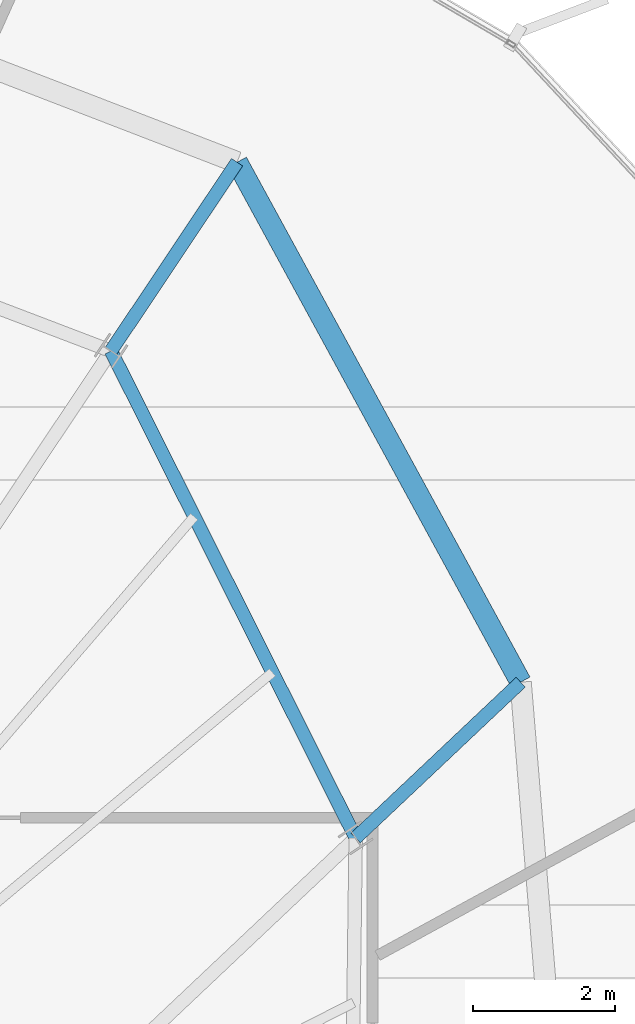
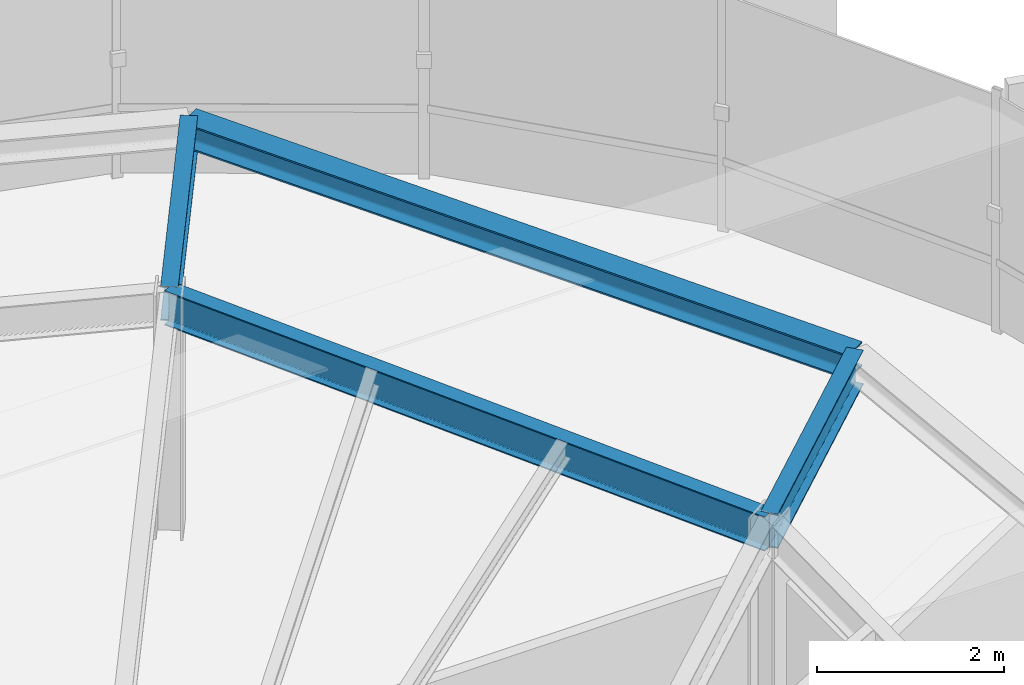
# One storey, part 25 of 36: 4 beams.
"""IFC4 building model written with IfcOpenShell, lengths in metres."""

from ifc_helpers import new_model, si_unit, direction, frame, origin, origin_2d, place, context, subcontext, project, spatial, i_section, extrude, source, transform, mapped, material, material_profile, profile_set, type_object, element, save


model = new_model("IFC4")

# Units and contexts
model_context = context("Model", 3, precision=1e-05, world=origin(), true_north=direction((0.0, 1.0)))
body_context = subcontext(model_context, "Body", "Model", "MODEL_VIEW")
ifc_project = project(units=[si_unit("LENGTHUNIT", "METRE"), si_unit("AREAUNIT", "SQUARE_METRE"), si_unit("VOLUMEUNIT", "CUBIC_METRE"), si_unit("PLANEANGLEUNIT", "RADIAN"), si_unit("MASSUNIT", "GRAM", prefix="KILO"), si_unit("THERMODYNAMICTEMPERATUREUNIT", "KELVIN")], contexts=[model_context])

# Site, building, storey
site_placement = place(None, origin())
site = spatial("IfcSite", under=ifc_project, at=site_placement, CompositionType="ELEMENT")
building_placement = place(site_placement, origin())
building = spatial("IfcBuilding", under=site, at=building_placement, Name="Kethvar Cultural Tower", CompositionType="ELEMENT")
storey_placement = place(building_placement, frame((0.0, 0.0, 242.199951171875)))
storey = spatial("IfcBuildingStorey", under=building, at=storey_placement, Name="L63", CompositionType="ELEMENT", Elevation=242.199951171875)

# Beams
ifc_material = material(Name="Steel S355J2", Category="steel")
ifc_material_profile_1 = material_profile(ifc_material, i_section(OverallWidth=0.18994140625, OverallDepth=0.449951171875, WebThickness=0.009521484375, FlangeThickness=0.0146484375, FilletRadius=0.02099609375, at=origin_2d()), Name="Steel S355J2 — IPE450")
ifc_profile_set_1 = profile_set([ifc_material_profile_1], Name="Steel S355J2 — IPE450")
beam_type_1 = type_object("IfcBeamType", Name="BM-IPE450", PredefinedType="BEAM", material=ifc_profile_set_1)
shared_shape_1 = source(origin(), body_context, "Body", "SweptSolid", [
    extrude(i_section(OverallWidth=0.18994140625, OverallDepth=0.449951171875, WebThickness=0.009521484375, FlangeThickness=0.0146484375, FilletRadius=0.02099609375, at=origin_2d()), origin(), (0.0, 0.0, 1.0), 3.199951171875),
])
beam_1_placement = place(storey_placement, frame((61.32568359375, 37.505859375, 2.983154296875), z_axis=(0.727146433404, 0.686482384616, 0.0), x_axis=(-0.686482384616, 0.727146433404, 0.0)))
element("IfcBeam", 1, at=beam_1_placement, inside=storey, type_object=beam_type_1, Name="L63 Perimeter Cantilever Beam RC-02", PredefinedType="BEAM", context=body_context, shape_type="MappedRepresentation", body=[
    mapped(shared_shape_1, transform((0.0, 0.0, 0.0), scale=1.0)),
])
shared_shape_2 = source(origin(), body_context, "Body", "SweptSolid", [
    extrude(i_section(OverallWidth=0.18994140625, OverallDepth=0.449951171875, WebThickness=0.009521484375, FlangeThickness=0.0146484375, FilletRadius=0.02099609375, at=origin_2d()), origin(), (0.0, 0.0, 1.0), 3.2001953125),
])
beam_2_placement = place(storey_placement, frame((57.875244140625, 44.375, 2.983154296875), z_axis=(0.555544970406, 0.831486491686, 0.0), x_axis=(-0.831486491686, 0.555544970406, 0.0)))
element("IfcBeam", 2, at=beam_2_placement, inside=storey, type_object=beam_type_1, Name="L63 Perimeter Cantilever Beam RC-03", PredefinedType="BEAM", context=body_context, shape_type="MappedRepresentation", body=[
    mapped(shared_shape_2, transform((0.0, 0.0, 0.0), scale=1.0)),
])
shared_shape_3 = source(origin(), body_context, "Body", "SweptSolid", [
    extrude(i_section(OverallWidth=0.18994140625, OverallDepth=0.449951171875, WebThickness=0.009521484375, FlangeThickness=0.0146484375, FilletRadius=0.02099609375, at=origin_2d()), origin(), (0.0, 0.0, 1.0), 7.68701171875),
])
beam_3_placement = place(storey_placement, frame((61.32568359375, 37.505859375, 2.983154296875), z_axis=(-0.448864354142, 0.893599905763, 0.0), x_axis=(-0.893599905763, -0.448864354142, 0.0)))
element("IfcBeam", 3, at=beam_3_placement, inside=storey, type_object=beam_type_1, Name="L63 Column Ring Tie Beam CR-02", PredefinedType="BEAM", context=body_context, shape_type="MappedRepresentation", body=[
    mapped(shared_shape_3, transform((0.0, 0.0, 0.0), scale=1.0)),
])
ifc_material_profile_2 = material_profile(ifc_material, i_section(OverallWidth=0.300048828125, OverallDepth=0.320068359375, WebThickness=0.011474609375, FlangeThickness=0.0205078125, FilletRadius=0.027099609375, at=origin_2d()), Name="Steel S355J2 — HEB320")
ifc_profile_set_2 = profile_set([ifc_material_profile_2], Name="Steel S355J2 — HEB320")
beam_type_2 = type_object("IfcBeamType", Name="BM-SP320", PredefinedType="SPANDREL", material=ifc_profile_set_2)
shared_shape_4 = source(origin(), body_context, "Body", "SweptSolid", [
    extrude(i_section(OverallWidth=0.300048828125, OverallDepth=0.320068359375, WebThickness=0.011474609375, FlangeThickness=0.0205078125, FilletRadius=0.027099609375, at=origin_2d()), origin(), (0.0, 0.0, 1.0), 8.35302734375),
])
beam_4_placement = place(storey_placement, frame((63.652587890625, 39.70263671875, 3.048095703125), z_axis=(-0.478811173891, 0.877917911742, 0.0), x_axis=(-0.877917911742, -0.478811173891, 0.0)))
element("IfcBeam", 4, at=beam_4_placement, inside=storey, type_object=beam_type_2, Name="L63 Perimeter Spandrel Beam SP-02", PredefinedType="SPANDREL", context=body_context, shape_type="MappedRepresentation", body=[
    mapped(shared_shape_4, transform((0.0, 0.0, 0.0), scale=1.0)),
])

save(model, "model.ifc")
